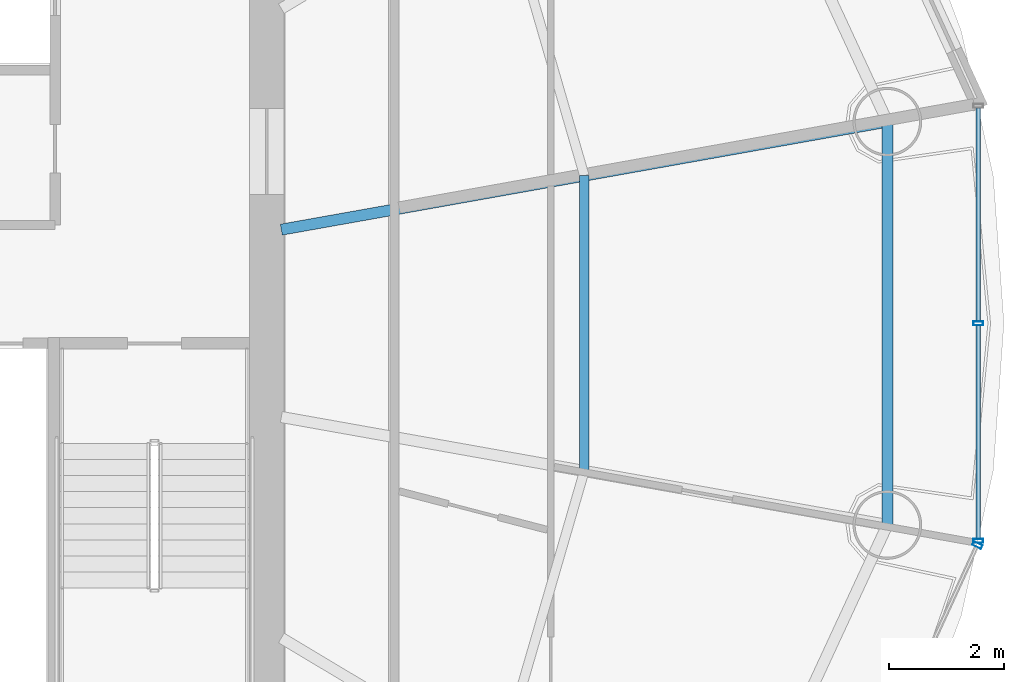
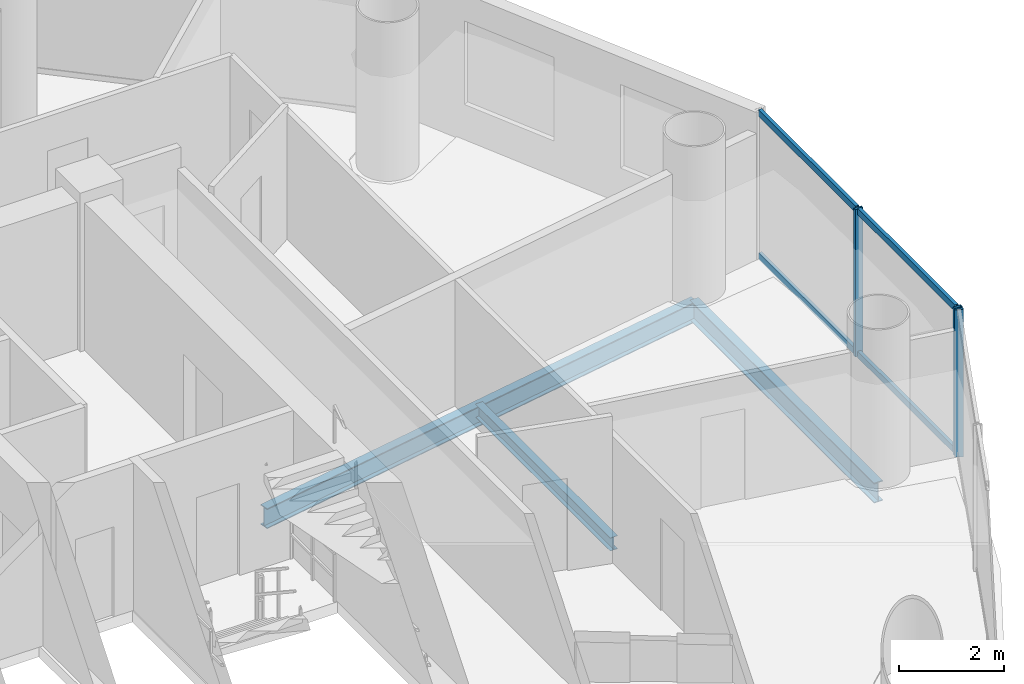
# One storey, part 12 of 27: 7 members, 3 beams, 2 elements without a shape of their own.
"""IFC4 building model written with IfcOpenShell, lengths in metres."""

from ifc_helpers import new_model, si_unit, direction, frame, origin, origin_2d, place, context, subcontext, project, spatial, hollow_rectangle, i_section, extrude, source, transform, mapped, material, material_profile, profile_set, type_object, element, aggregate, save


model = new_model("IFC4")

# Units and contexts
model_context = context("Model", 3, precision=1e-05, world=origin(), true_north=direction((-0.2419218956, 0.970295726276)))
body_context = subcontext(model_context, "Body", "Model", "MODEL_VIEW")
ifc_project = project(units=[si_unit("LENGTHUNIT", "METRE"), si_unit("AREAUNIT", "SQUARE_METRE"), si_unit("VOLUMEUNIT", "CUBIC_METRE"), si_unit("PLANEANGLEUNIT", "RADIAN"), si_unit("MASSUNIT", "GRAM", prefix="KILO")], contexts=[model_context])

# Site, building, storey
site_placement = place(None, origin())
site = spatial("IfcSite", under=ifc_project, at=site_placement, CompositionType="ELEMENT")
building_placement = place(site_placement, origin())
building = spatial("IfcBuilding", under=site, at=building_placement, Name="Cobrevalo Terracotta Tower", CompositionType="ELEMENT")
storey_placement = place(building_placement, frame((0.0, 0.0, 191.199951171875)))
storey = spatial("IfcBuildingStorey", under=building, at=storey_placement, Name="L50", CompositionType="ELEMENT", Elevation=191.199951171875)

# Beams
ifc_material_1 = material(Name="Steel S355", Category="steel")
ifc_material_profile_1 = material_profile(ifc_material_1, i_section(OverallWidth=0.194091796875, OverallDepth=0.468994140625, WebThickness=0.011474609375, FlangeThickness=0.0205078125, at=origin_2d()), Name="W 460x106")
ifc_profile_set_1 = profile_set([ifc_material_profile_1], Name="Steel S355")
beam_type_1 = type_object("IfcBeamType", Name="Structural Beam W 460x106 (Steel S355)", PredefinedType="BEAM", material=ifc_profile_set_1)
beam_1_placement = place(storey_placement, frame((57.762939453125, 30.3212890625, -0.49951171875), z_axis=(-0.98449712063, -0.175400739656, 0.0), x_axis=(0.175400739656, -0.98449712063, 0.0)))
element("IfcBeam", 1, at=beam_1_placement, inside=storey, type_object=beam_type_1, Name="L50 radial floor girder 01", PredefinedType="BEAM", context=body_context, shape_type="SweptSolid", body=[
    extrude(i_section(OverallWidth=0.194091796875, OverallDepth=0.468994140625, WebThickness=0.011474609375, FlangeThickness=0.0205078125, at=origin_2d()), origin(), (0.0, 0.0, 1.0), 10.749755859375),
])
ifc_material_profile_2 = material_profile(ifc_material_1, i_section(OverallWidth=0.1650390625, OverallDepth=0.31005859375, WebThickness=0.005859375, FlangeThickness=0.009765625, at=origin_2d()), Name="W 310x38.7")
ifc_profile_set_2 = profile_set([ifc_material_profile_2], Name="Steel S355")
beam_type_2 = type_object("IfcBeamType", Name="Structural Joist W 310x38.7 (Steel S355)", PredefinedType="JOIST", material=ifc_profile_set_2)
beam_2_placement = place(storey_placement, frame((52.471435546875, 24.221435546875, -0.419921875), z_axis=(0.0, 1.0, 0.0), x_axis=(-1.0, 0.0, 0.0)))
element("IfcBeam", 2, at=beam_2_placement, inside=storey, type_object=beam_type_2, Name="L50 circumferential secondary floor joist 16", PredefinedType="JOIST", context=body_context, shape_type="SweptSolid", body=[
    extrude(i_section(OverallWidth=0.1650390625, OverallDepth=0.31005859375, WebThickness=0.005859375, FlangeThickness=0.009765625, at=origin_2d()), origin(), (0.0, 0.0, 1.0), 5.1572265625),
])
ifc_material_profile_3 = material_profile(ifc_material_1, i_section(OverallWidth=0.194091796875, OverallDepth=0.468994140625, WebThickness=0.011474609375, FlangeThickness=0.0205078125, at=origin_2d()), Name="W 460x106")
ifc_profile_set_3 = profile_set([ifc_material_profile_3], Name="Steel S355")
beam_type_3 = type_object("IfcBeamType", Name="Structural Spandrel W 460x106 (Steel S355)", PredefinedType="SPANDREL", material=ifc_profile_set_3)
beam_3_placement = place(storey_placement, frame((57.762939453125, 23.278564453125, -0.49951171875), z_axis=(0.0, 1.0, 0.0), x_axis=(-1.0, 0.0, 0.0)))
element("IfcBeam", 3, at=beam_3_placement, inside=storey, type_object=beam_type_3, Name="L50 perimeter ring spandrel 16", PredefinedType="SPANDREL", context=body_context, shape_type="SweptSolid", body=[
    extrude(i_section(OverallWidth=0.194091796875, OverallDepth=0.468994140625, WebThickness=0.011474609375, FlangeThickness=0.0205078125, at=origin_2d()), origin(), (0.0, 0.0, 1.0), 7.042724609375),
])

# Curtain wall, members
ifc_material_2 = material(Name="Anodized aluminium", Category="aluminium")
curtain_wall_type = type_object("IfcCurtainWallType", Name="Mid-tower high-wind unitised curtain wall CW-U2", PredefinedType="NOTDEFINED", material=ifc_material_2)
curtain_wall_1_placement = place(storey_placement, origin())
curtain_wall_1 = element("IfcCurtainWall", 4, at=curtain_wall_1_placement, inside=storey, type_object=curtain_wall_type, Name="L50 curtain wall CW-L50-S16", PredefinedType="NOTDEFINED")
ifc_material_profile_4 = material_profile(ifc_material_2, hollow_rectangle(XDim=0.074951171875, YDim=0.14990234375, WallThickness=0.00439453125, at=origin_2d()), Name="CWT 75x150")
ifc_profile_set_4 = profile_set([ifc_material_profile_4], Name="Anodized aluminium")
member_type_1 = type_object("IfcMemberType", Name="Tower unitised aluminium transom 75x150", PredefinedType="USERDEFINED", material=ifc_profile_set_4)
shared_shape_1 = source(origin(), body_context, "Body", "SweptSolid", [
    extrude(hollow_rectangle(XDim=0.074951171875, YDim=0.14990234375, WallThickness=0.00439453125, at=origin_2d()), origin(), (0.0, 0.0, 1.0), 3.71728515625),
])
member_1_placement = place(storey_placement, frame((59.351806640625, 26.840087890625, 0.050048828125), z_axis=(0.0, 1.0, 0.0), x_axis=(-1.0, 0.0, 0.0)))
member_1 = element("IfcMember", 5, at=member_1_placement, type_object=member_type_1, Name="CW-L50-S16 transom B02-T1", ObjectType="TRANSOM", PredefinedType="USERDEFINED", context=body_context, shape_type="MappedRepresentation", body=[
    mapped(shared_shape_1, transform((0.0, 0.0, 0.0), scale=1.0)),
])
member_2_placement = place(storey_placement, frame((59.351806640625, 26.840087890625, 3.385009765625), z_axis=(0.0, 1.0, 0.0), x_axis=(-1.0, 0.0, 0.0)))
member_2 = element("IfcMember", 6, at=member_2_placement, type_object=member_type_1, Name="CW-L50-S16 transom B02-T2", ObjectType="TRANSOM", PredefinedType="USERDEFINED", context=body_context, shape_type="MappedRepresentation", body=[
    mapped(shared_shape_1, transform((0.0, 0.0, 0.0), scale=1.0)),
])
shared_shape_2 = source(origin(), body_context, "Body", "SweptSolid", [
    extrude(hollow_rectangle(XDim=0.074951171875, YDim=0.14990234375, WallThickness=0.00439453125, at=origin_2d()), origin(), (0.0, 0.0, 1.0), 3.717529296875),
])
member_3_placement = place(storey_placement, frame((59.351806640625, 23.04248046875, 0.050048828125), z_axis=(0.0, 1.0, 0.0), x_axis=(-1.0, 0.0, 0.0)))
member_3 = element("IfcMember", 7, at=member_3_placement, type_object=member_type_1, Name="CW-L50-S16 transom B01-T1", ObjectType="TRANSOM", PredefinedType="USERDEFINED", context=body_context, shape_type="MappedRepresentation", body=[
    mapped(shared_shape_2, transform((0.0, 0.0, 0.0), scale=1.0)),
])
member_4_placement = place(storey_placement, frame((59.351806640625, 23.04248046875, 3.385009765625), z_axis=(0.0, 1.0, 0.0), x_axis=(-1.0, 0.0, 0.0)))
member_4 = element("IfcMember", 8, at=member_4_placement, type_object=member_type_1, Name="CW-L50-S16 transom B01-T2", ObjectType="TRANSOM", PredefinedType="USERDEFINED", context=body_context, shape_type="MappedRepresentation", body=[
    mapped(shared_shape_2, transform((0.0, 0.0, 0.0), scale=1.0)),
])

# Curtain wall, member
curtain_wall_2_placement = place(storey_placement, origin())
curtain_wall_2 = element("IfcCurtainWall", 9, at=curtain_wall_2_placement, inside=storey, type_object=curtain_wall_type, Name="L50 curtain wall CW-L50-S15", PredefinedType="NOTDEFINED")
ifc_material_profile_5 = material_profile(ifc_material_2, hollow_rectangle(XDim=0.070068359375, YDim=0.169921875, WallThickness=0.00439453125, at=origin_2d()), Name="CWM 70x170")
ifc_profile_set_5 = profile_set([ifc_material_profile_5], Name="Anodized aluminium")
member_type_2 = type_object("IfcMemberType", Name="Upper tower unitised mullion 70x170", PredefinedType="MULLION", material=ifc_profile_set_5)
shared_shape_3 = source(origin(), body_context, "Body", "SweptSolid", [
    extrude(hollow_rectangle(XDim=0.070068359375, YDim=0.169921875, WallThickness=0.00439453125, at=origin_2d()), origin(), (0.0, 0.0, 1.0), 3.43505859375),
])
member_5_placement = place(storey_placement, frame((59.3349609375, 22.92626953125, 0.0), z_axis=(0.0, 0.0, 1.0), x_axis=(0.41672507912, 0.909032567311, 0.0)))
member_5 = element("IfcMember", 10, at=member_5_placement, type_object=member_type_2, Name="CW-L50-S15 vertical mullion 03", PredefinedType="MULLION", context=body_context, shape_type="MappedRepresentation", body=[
    mapped(shared_shape_3, transform((0.0, 0.0, 0.0), scale=1.0)),
])
aggregate(curtain_wall_2, [member_5])

# Member
member_6_placement = place(storey_placement, frame((59.351806640625, 23.002685546875, 0.0), z_axis=(0.0, 0.0, 1.0), x_axis=(0.0, 1.0, 0.0)))
member_6 = element("IfcMember", 11, at=member_6_placement, type_object=member_type_2, Name="CW-L50-S16 vertical mullion 01", PredefinedType="MULLION", context=body_context, shape_type="MappedRepresentation", body=[
    mapped(shared_shape_3, transform((0.0, 0.0, 0.0), scale=1.0)),
])

member_7_placement = place(storey_placement, frame((59.351806640625, 26.800048828125, 0.0), z_axis=(0.0, 0.0, 1.0), x_axis=(0.0, 1.0, 0.0)))
member_7 = element("IfcMember", 12, at=member_7_placement, type_object=member_type_2, Name="CW-L50-S16 vertical mullion 02", PredefinedType="MULLION", context=body_context, shape_type="MappedRepresentation", body=[
    mapped(shared_shape_3, transform((0.0, 0.0, 0.0), scale=1.0)),
])

aggregate(curtain_wall_1, [member_6, member_7, member_3, member_4, member_1, member_2])

save(model, "model.ifc")
